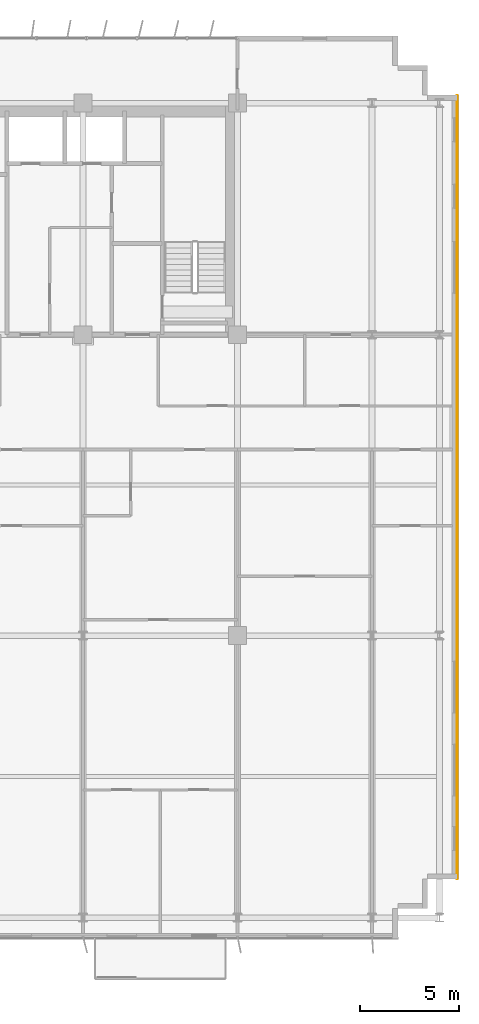
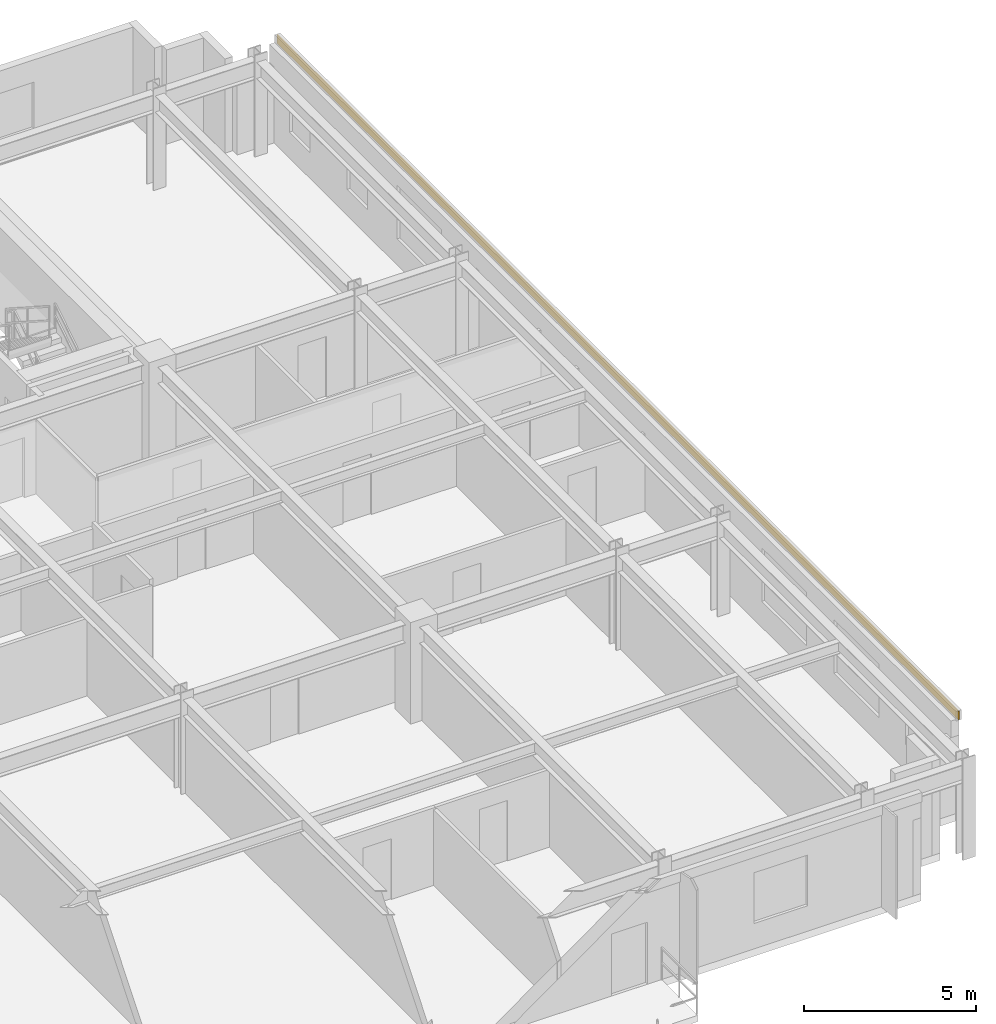
# One storey, part 22 of 22: 1 covering.
"""IFC4 building model written with IfcOpenShell, lengths in metres."""

import ifcopenshell
import ifcopenshell.guid

model = None  # the IFC model being written
_history = None  # IfcOwnerHistory: only IFC2X3 demands one
_inside = {}  # id of a spatial element -> (the spatial element, [elements in it])
_under = {}  # id of a project, library or spatial element -> (it, [spatial elements below it])
_declared = {}  # id of a project -> (the project, [libraries it declares])
_typed = {}  # id of a type object -> (the type object, [elements of that type])
_made_of = {}  # id of a material, layer set ... -> (it, [elements and type objects made of it])


def new_model(schema):
    """Start an empty IFC model of exactly this schema.

    Asked for "IFC4X3", IfcOpenShell would pick the latest addendum, in which some entities
    have other attributes; the version numbers below select the first issue.
    IFC2X3 requires an IfcOwnerHistory on every rooted entity: one is made here for all.
    """
    global model, _history
    if schema == "IFC4X3":
        model = ifcopenshell.file(schema_version=(4, 3, 0, 0))
    else:
        model = ifcopenshell.file(schema=schema)
    _inside.clear()
    _under.clear()
    _declared.clear()
    _typed.clear()
    _made_of.clear()
    _history = None
    if model.schema == "IFC2X3":
        org = make("IfcOrganization", Name="unknown")
        user = make(
            "IfcPersonAndOrganization",
            ThePerson=make("IfcPerson", FamilyName="unknown"),
            TheOrganization=org,
        )
        app = make(
            "IfcApplication",
            ApplicationDeveloper=org,
            Version="unknown",
            ApplicationFullName="unknown",
            ApplicationIdentifier="unknown",
        )
        _history = make(
            "IfcOwnerHistory",
            OwningUser=user,
            OwningApplication=app,
            ChangeAction="ADDED",
            CreationDate=0,
        )
    return model


def make(cls, **values):
    """One entity of the class cls with the attributes given. An attribute that is None is left unset."""
    return model.create_entity(
        cls, **{name: value for name, value in values.items() if value is not None}
    )


def rooted(cls, **values):
    """An entity with a GlobalId (a new one), such as an element, a storey or a relation."""
    return make(cls, GlobalId=ifcopenshell.guid.new(), OwnerHistory=_history, **values)


def si_unit(unit_type, name, prefix=None):
    """IfcSIUnit, for example si_unit("LENGTHUNIT", "METRE", prefix="MILLI")."""
    return make("IfcSIUnit", UnitType=unit_type, Prefix=prefix, Name=name)


def assignment(units):
    """IfcUnitAssignment: the units of a project."""
    return None if units is None else make("IfcUnitAssignment", Units=units)


def point(xyz):
    """IfcCartesianPoint."""
    return None if xyz is None else make("IfcCartesianPoint", Coordinates=xyz)


def direction(xyz):
    """IfcDirection."""
    return None if xyz is None else make("IfcDirection", DirectionRatios=xyz)


def frame(location, z_axis=None, x_axis=None):
    """IfcAxis2Placement3D, a coordinate frame: its origin and axes. An axis left out is left unset."""
    return make(
        "IfcAxis2Placement3D",
        Location=point(location),
        Axis=direction(z_axis),
        RefDirection=direction(x_axis),
    )


def frame_2d(location, x_axis=None):
    """IfcAxis2Placement2D, a coordinate frame in the plane: its origin and x axis."""
    return make(
        "IfcAxis2Placement2D", Location=point(location), RefDirection=direction(x_axis)
    )


def origin():
    """The frame at (0, 0, 0) with its axes left unset."""
    return frame((0.0, 0.0, 0.0))


def origin_2d():
    """The frame at (0, 0) in the plane with its x axis left unset."""
    return frame_2d((0.0, 0.0))


def place(relative_to, where):
    """IfcLocalPlacement: puts the frame where relative to a parent placement (None: the world)."""
    return make(
        "IfcLocalPlacement", PlacementRelTo=relative_to, RelativePlacement=where
    )


def context(
    kind, dimensions, precision=None, world=None, true_north=None, identifier=None
):
    """IfcGeometricRepresentationContext, for example the 3D "Model" context."""
    return make(
        "IfcGeometricRepresentationContext",
        ContextIdentifier=identifier,
        ContextType=kind,
        CoordinateSpaceDimension=dimensions,
        Precision=precision,
        WorldCoordinateSystem=world,
        TrueNorth=true_north,
    )


def subcontext(parent, identifier, kind, view, scale=None):
    """IfcGeometricRepresentationSubContext, for example "Body" below "Model"."""
    return make(
        "IfcGeometricRepresentationSubContext",
        ContextIdentifier=identifier,
        ContextType=kind,
        ParentContext=parent,
        TargetScale=scale,
        TargetView=view,
    )


def project(units=None, contexts=None):
    """IfcProject with its units and contexts."""
    return rooted(
        "IfcProject",
        Name="project",
        RepresentationContexts=contexts,
        UnitsInContext=assignment(units),
    )


def spatial(cls, under=None, at=None, **own):
    """A site, building, storey or space (cls), placed at a placement, below another one or the project."""
    s = rooted(cls, ObjectPlacement=at, **own)
    if under is not None:
        _under.setdefault(under.id(), (under, []))[1].append(s)
    return s


def profile(cls, at=None, kind="AREA", **sizes):
    """A parametric profile (cls). Its sizes go by their IFC names, for example OverallWidth=200.0."""
    return make(cls, ProfileType=kind, Position=at, **sizes)


def rectangle(**sizes):
    """IfcRectangleProfileDef."""
    return profile("IfcRectangleProfileDef", **sizes)


def extrude(swept, where, along, depth):
    """IfcExtrudedAreaSolid: the profile swept, set in the frame where, extruded along a direction by depth."""
    return make(
        "IfcExtrudedAreaSolid",
        SweptArea=swept,
        Position=where,
        ExtrudedDirection=direction(along),
        Depth=depth,
    )


def shape(context_of_items, identifier, shape_type, items):
    """IfcShapeRepresentation: the items that make up one representation, for example the "Body"."""
    return make(
        "IfcShapeRepresentation",
        ContextOfItems=context_of_items,
        RepresentationIdentifier=identifier,
        RepresentationType=shape_type,
        Items=items,
    )


def source(mapping_origin, context_of_items, identifier, shape_type, items):
    """IfcRepresentationMap: a shape defined once, which mapped items show again and again."""
    return make(
        "IfcRepresentationMap",
        MappingOrigin=mapping_origin,
        MappedRepresentation=shape(context_of_items, identifier, shape_type, items),
    )


def transform(
    local_origin,
    x_axis=None,
    y_axis=None,
    z_axis=None,
    scale=None,
    scale2=None,
    scale3=None,
    uniform=True,
):
    """IfcCartesianTransformationOperator3D, or its non-uniform kind. x_axis, y_axis, z_axis: its Axis1, 2, 3."""
    if uniform:
        return make(
            "IfcCartesianTransformationOperator3D",
            Axis1=direction(x_axis),
            Axis2=direction(y_axis),
            LocalOrigin=point(local_origin),
            Scale=scale,
            Axis3=direction(z_axis),
        )
    return make(
        "IfcCartesianTransformationOperator3DnonUniform",
        Axis1=direction(x_axis),
        Axis2=direction(y_axis),
        LocalOrigin=point(local_origin),
        Scale=scale,
        Axis3=direction(z_axis),
        Scale2=scale2,
        Scale3=scale3,
    )


def mapped(mapping_source, mapping_target):
    """IfcMappedItem: shows the shape of a source again, moved by a transform."""
    return make(
        "IfcMappedItem", MappingSource=mapping_source, MappingTarget=mapping_target
    )


def material(Name=None, Category=None):
    """IfcMaterial."""
    return make("IfcMaterial", Name=Name, Category=Category)


def layer(
    of_material, thickness, ventilated=None, Name=None, Category=None, Priority=None
):
    """IfcMaterialLayer: one layer of a wall or slab, of a material (None: an air gap)."""
    return make(
        "IfcMaterialLayer",
        Material=of_material,
        LayerThickness=thickness,
        IsVentilated=ventilated,
        Name=Name,
        Category=Category,
        Priority=Priority,
    )


def layer_set(layers, Name=None):
    """IfcMaterialLayerSet."""
    return make("IfcMaterialLayerSet", MaterialLayers=layers, LayerSetName=Name)


def made_of(thing, what):
    """Note that an element or type object is made of a material, layer set ...; save() writes the relation."""
    if what is not None:
        _made_of.setdefault(what.id(), (what, []))[1].append(thing)
    return thing


def type_object(cls, material=None, **own):
    """A type object (cls), such as IfcWallType, which elements share."""
    return made_of(rooted(cls, **own), material)


def element(
    cls,
    number,
    at=None,
    inside=None,
    cuts=None,
    type_object=None,
    material=None,
    context=None,
    identifier="Body",
    shape_type=None,
    held_by="IfcProductDefinitionShape",
    body=None,
    shapes=None,
    **own,
):
    """One element of the class cls, such as IfcWall. Its Tag is "e" and its number.

    at: its placement. inside: the storey or other place that contains it. cuts: it is an
    opening in that element (IfcRelVoidsElement). A single representation is given by context,
    identifier, shape_type and body (its items); several are given by shapes. held_by: the class
    of the entity that holds the representations. save() writes the other relations.
    """
    e = rooted(cls, Tag="e%d" % number, ObjectPlacement=at, **own)
    if body is not None:
        shapes = [shape(context, identifier, shape_type, body)]
    if shapes is not None:
        e.Representation = make(held_by, Representations=shapes)
    if inside is not None:
        _inside.setdefault(inside.id(), (inside, []))[1].append(e)
    if cuts is not None:
        rooted(
            "IfcRelVoidsElement", RelatingBuildingElement=cuts, RelatedOpeningElement=e
        )
    if type_object is not None:
        _typed.setdefault(type_object.id(), (type_object, []))[1].append(e)
    return made_of(e, material)


def aggregate(whole, parts):
    """IfcRelAggregates: a whole, such as a stair, and the parts it consists of."""
    return rooted("IfcRelAggregates", RelatingObject=whole, RelatedObjects=parts)


def save(model, path):
    """Write the relations noted so far, then the file.

    IfcRelAggregates (storeys below a building ...), IfcRelContainedInSpatialStructure (elements
    in a storey), IfcRelDefinesByType, IfcRelAssociatesMaterial and IfcRelDeclares: one each for
    every whole, place, type object, material and project.
    """
    for whole, parts in _under.values():
        aggregate(whole, parts)
    for where, things in _inside.values():
        rooted(
            "IfcRelContainedInSpatialStructure",
            RelatedElements=things,
            RelatingStructure=where,
        )
    for kind, things in _typed.values():
        rooted("IfcRelDefinesByType", RelatedObjects=things, RelatingType=kind)
    for what, things in _made_of.values():
        rooted("IfcRelAssociatesMaterial", RelatedObjects=things, RelatingMaterial=what)
    for by, libraries in _declared.values():
        rooted("IfcRelDeclares", RelatingContext=by, RelatedDefinitions=libraries)
    model.write(path)


model = new_model("IFC4")

# Units and contexts
model_context = context("Model", 3, precision=1e-05, world=origin(), true_north=direction((0.0, 1.0)))
body_context = subcontext(model_context, "Body", "Model", "MODEL_VIEW")
ifc_project = project(units=[si_unit("LENGTHUNIT", "METRE"), si_unit("AREAUNIT", "SQUARE_METRE"), si_unit("VOLUMEUNIT", "CUBIC_METRE"), si_unit("PLANEANGLEUNIT", "RADIAN"), si_unit("MASSUNIT", "GRAM", prefix="KILO")], contexts=[model_context])

# Site, building, storey
site_placement = place(None, origin())
site = spatial("IfcSite", under=ifc_project, at=site_placement, CompositionType="ELEMENT")
building_placement = place(site_placement, origin())
building = spatial("IfcBuilding", under=site, at=building_placement, Name="Trelvane Seafront Commons", CompositionType="ELEMENT")
storey_placement = place(building_placement, frame((0.0, 0.0, 55.89990234375)))
storey = spatial("IfcBuildingStorey", under=building, at=storey_placement, Name="L14", CompositionType="ELEMENT", Elevation=55.89990234375)

# Covering
ifc_material = material(Name="Anodised pale-silver aluminium", Category="aluminium")
ifc_layer = layer(ifc_material, 0.034912109375, Name="ARCH-COV-CLAD35")
ifc_layer_set = layer_set([ifc_layer], Name="Anodised pale-silver aluminium")
covering_type = type_object("IfcCoveringType", Name="ARCH-COV-CLAD35", PredefinedType="CLADDING", material=ifc_layer_set)
shared_shape = source(origin(), body_context, "Body", "SweptSolid", [
    extrude(rectangle(XDim=39.60009765625, YDim=0.034912109375, at=origin_2d()), origin(), (0.0, 0.0, 1.0), 0.300048828125),
])
covering_placement = place(storey_placement, frame((69.89990234375, 25.699951171875, 3.30029296875), z_axis=(0.0, 0.0, 1.0), x_axis=(0.0, -1.0, 0.0)))
element("IfcCovering", 1, at=covering_placement, inside=storey, type_object=covering_type, Name="CLD-L14-00067", PredefinedType="CLADDING", context=body_context, shape_type="MappedRepresentation", body=[
    mapped(shared_shape, transform((0.0, 0.0, 0.0), x_axis=(1.0, 0.0, 0.0), y_axis=(0.0, 1.0, 0.0), z_axis=(0.0, 0.0, 1.0), scale=1.0)),
])

save(model, "model.ifc")
